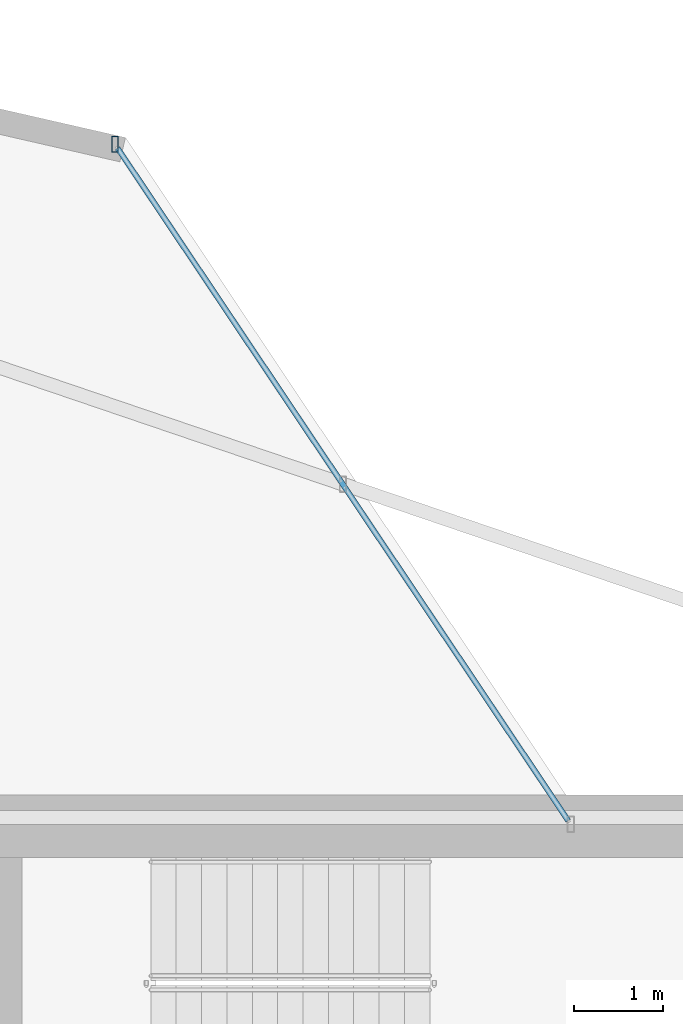
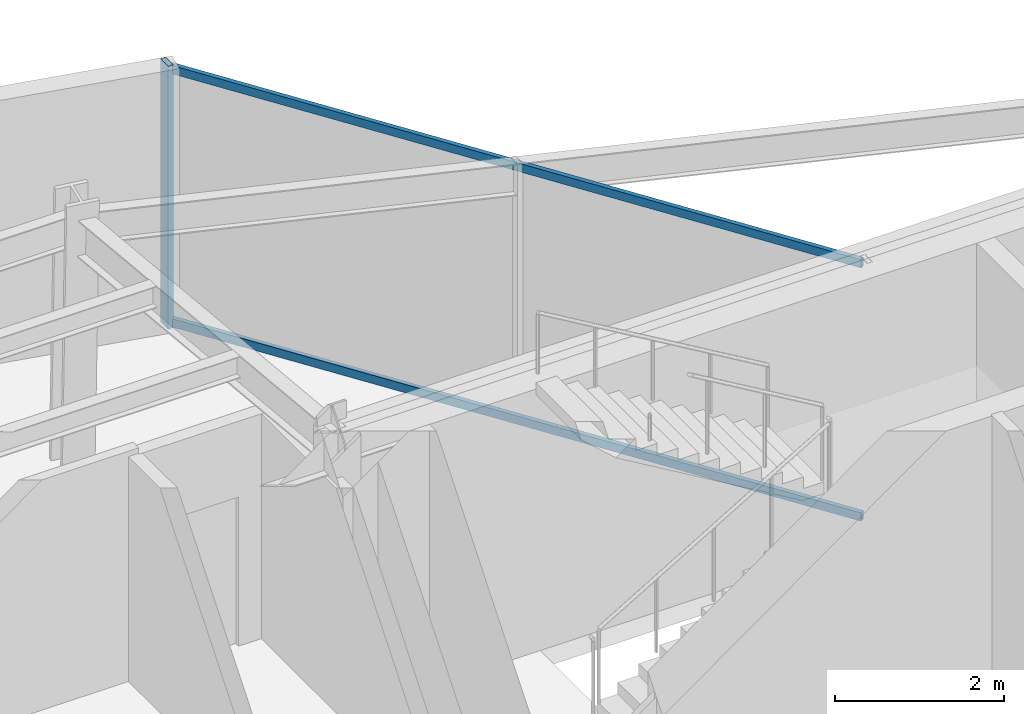
# One storey, part 13 of 21: 3 members, 1 element without a shape of its own.
"""IFC4 building model written with IfcOpenShell, lengths in metres."""

from ifc_helpers import new_model, si_unit, direction, frame, origin, origin_2d, place, context, subcontext, project, spatial, hollow_rectangle, extrude, material, layer, layer_set, material_profile, profile_set, type_object, element, aggregate, save


model = new_model("IFC4")

# Units and contexts
model_context = context("Model", 3, precision=1e-05, world=origin(), true_north=direction((0.0, 1.0)))
body_context = subcontext(model_context, "Body", "Model", "MODEL_VIEW")
ifc_project = project(units=[si_unit("LENGTHUNIT", "METRE"), si_unit("AREAUNIT", "SQUARE_METRE"), si_unit("VOLUMEUNIT", "CUBIC_METRE"), si_unit("PLANEANGLEUNIT", "RADIAN"), si_unit("MASSUNIT", "GRAM", prefix="KILO")], contexts=[model_context])

# Site, building, storey
site_placement = place(None, origin())
site = spatial("IfcSite", under=ifc_project, at=site_placement, CompositionType="ELEMENT")
building_placement = place(site_placement, origin())
building = spatial("IfcBuilding", under=site, at=building_placement, Name="Veymaron Broadcast Tower", CompositionType="ELEMENT")
storey_placement = place(building_placement, frame((0.0, 0.0, 212.10009765625)))
storey = spatial("IfcBuildingStorey", under=building, at=storey_placement, Name="L49", CompositionType="ELEMENT", Elevation=212.10009765625)

# Curtain wall, members
ifc_material_1 = material(Name="Anodised aluminium AA 6063-T6 and laminated low-E dark glass", Category="aluminium")
ifc_layer = layer(ifc_material_1, 0.179931640625)
ifc_layer_set = layer_set([ifc_layer], Name="Anodised aluminium AA 6063-T6 and laminated low-E dark glass")
curtain_wall_type = type_object("IfcCurtainWallType", Name="CW-SYS-05", PredefinedType="NOTDEFINED", material=ifc_layer_set)
curtain_wall_placement = place(storey_placement, origin())
curtain_wall = element("IfcCurtainWall", 1, at=curtain_wall_placement, inside=storey, type_object=curtain_wall_type, Name="L49 dark-glass curtain wall CW-L49-E5-1", PredefinedType="NOTDEFINED")
ifc_material_2 = material(Name="Anodised aluminium AA 6063-T6", Category="aluminium")
ifc_material_profile_1 = material_profile(ifc_material_2, hollow_rectangle(XDim=0.074951171875, YDim=0.179931640625, WallThickness=0.0048828125, at=origin_2d()), Name="AL180X75X5")
ifc_profile_set_1 = profile_set([ifc_material_profile_1], Name="Anodised aluminium AA 6063-T6")
member_type_1 = type_object("IfcMemberType", Name="CW-MUL-02", PredefinedType="MULLION", material=ifc_profile_set_1)
member_1_placement = place(storey_placement, frame((41.0283203125, 39.56201171875, 0.0), z_axis=(0.0, 0.0, 1.0), x_axis=(1.0, 0.0, 0.0)))
member_1 = element("IfcMember", 2, at=member_1_placement, type_object=member_type_1, Name="CW-L49-E5-1 mullion 2", PredefinedType="MULLION", context=body_context, shape_type="SweptSolid", body=[
    extrude(hollow_rectangle(XDim=0.074951171875, YDim=0.179931640625, WallThickness=0.0048828125, at=origin_2d()), origin(), (0.0, 0.0, 1.0), 3.789794921875),
])
ifc_material_profile_2 = material_profile(ifc_material_2, hollow_rectangle(XDim=0.06005859375, YDim=0.1201171875, WallThickness=0.00390625, at=origin_2d()), Name="AL120X60X4")
ifc_profile_set_2 = profile_set([ifc_material_profile_2], Name="Anodised aluminium AA 6063-T6")
member_type_2 = type_object("IfcMemberType", Name="CW-TRN-02", PredefinedType="USERDEFINED", material=ifc_profile_set_2)
member_2_placement = place(storey_placement, frame((46.119873046875, 31.963623046875, 0.06982421875), z_axis=(-0.556680529668, 0.83072666256, 0.0), x_axis=(-0.83072666256, -0.556680529668, 0.0)))
member_2 = element("IfcMember", 3, at=member_2_placement, type_object=member_type_2, Name="CW-L49-E5-1 transom B", ObjectType="TRANSOM", PredefinedType="USERDEFINED", context=body_context, shape_type="SweptSolid", body=[
    extrude(hollow_rectangle(XDim=0.06005859375, YDim=0.1201171875, WallThickness=0.00390625, at=origin_2d()), origin(), (0.0, 0.0, 1.0), 9.0966796875),
])
member_3_placement = place(storey_placement, frame((46.119873046875, 31.963623046875, 3.719970703125), z_axis=(-0.556680529668, 0.83072666256, 0.0), x_axis=(-0.83072666256, -0.556680529668, 0.0)))
member_3 = element("IfcMember", 4, at=member_3_placement, type_object=member_type_2, Name="CW-L49-E5-1 transom T", ObjectType="TRANSOM", PredefinedType="USERDEFINED", context=body_context, shape_type="SweptSolid", body=[
    extrude(hollow_rectangle(XDim=0.06005859375, YDim=0.1201171875, WallThickness=0.00390625, at=origin_2d()), origin(), (0.0, 0.0, 1.0), 9.0966796875),
])
aggregate(curtain_wall, [member_1, member_2, member_3])

save(model, "model.ifc")
